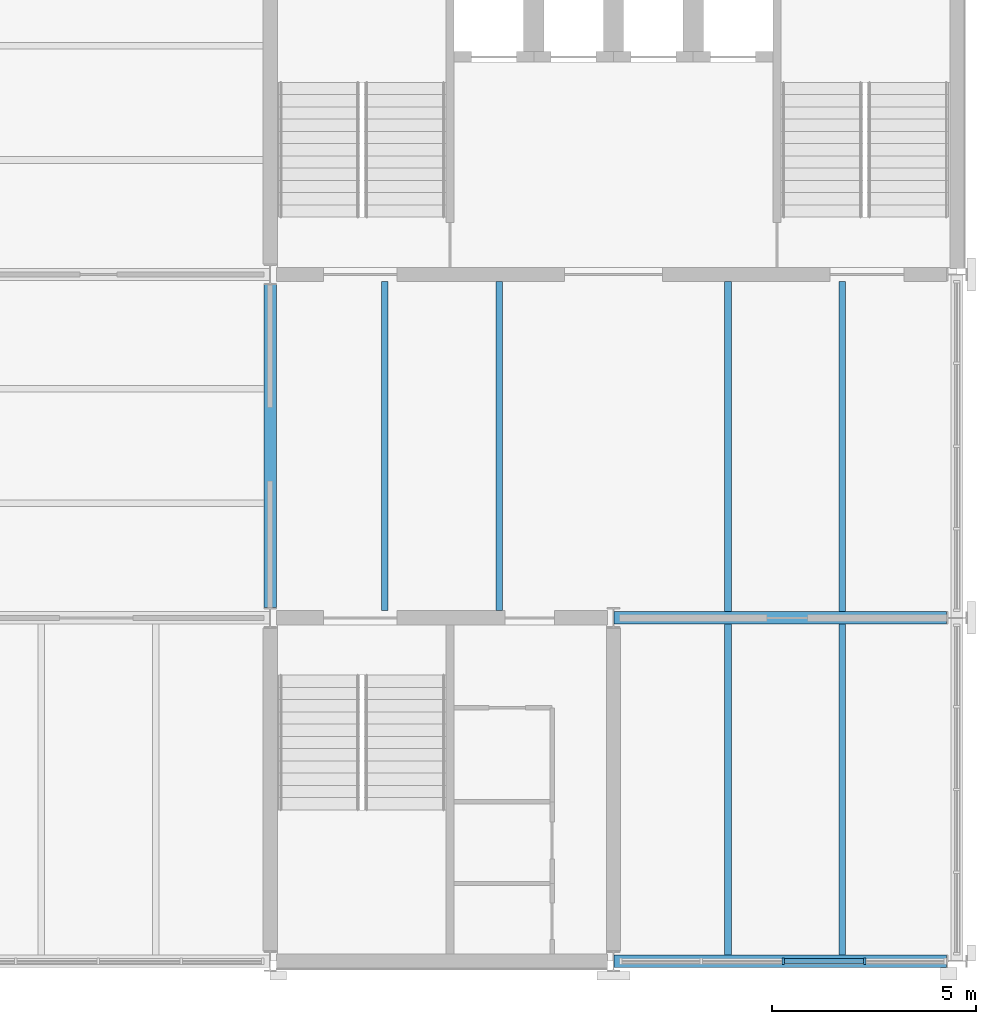
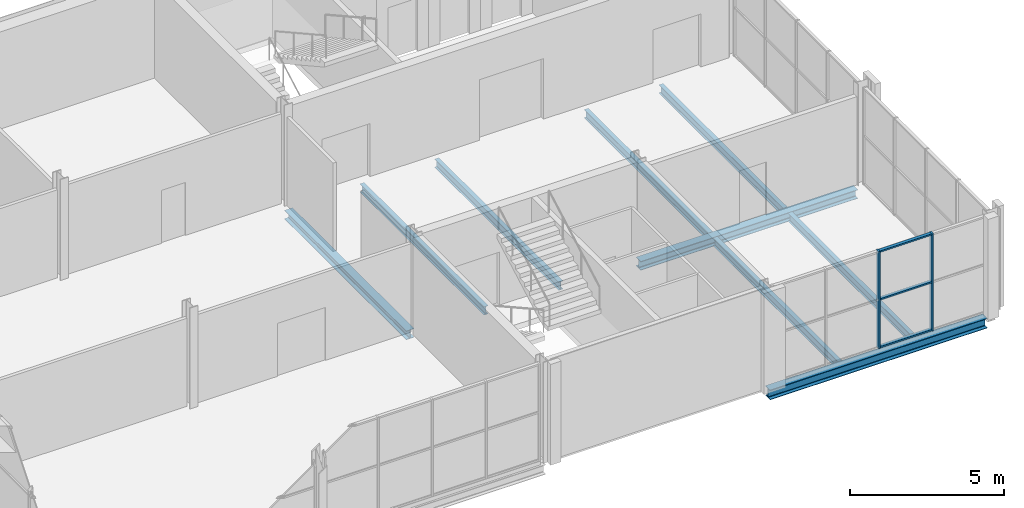
# One storey, part 4 of 12: 9 beams, 5 members, 1 element without a shape of its own.
"""IFC4 building model written with IfcOpenShell, lengths in metres."""

from ifc_helpers import new_model, si_unit, direction, frame, origin, origin_2d, place, context, subcontext, project, spatial, rectangle, i_section, extrude, material, layer, layer_set, material_profile, profile_set, type_object, element, aggregate, save


model = new_model("IFC4")

# Units and contexts
model_context = context("Model", 3, precision=1e-05, world=origin(), true_north=direction((0.0, 1.0)))
body_context = subcontext(model_context, "Body", "Model", "MODEL_VIEW")
ifc_project = project(units=[si_unit("LENGTHUNIT", "METRE"), si_unit("AREAUNIT", "SQUARE_METRE"), si_unit("VOLUMEUNIT", "CUBIC_METRE"), si_unit("PLANEANGLEUNIT", "RADIAN"), si_unit("MASSUNIT", "GRAM", prefix="KILO")], contexts=[model_context])

# Site, building, storey
site_placement = place(None, origin())
site = spatial("IfcSite", under=ifc_project, at=site_placement, CompositionType="ELEMENT")
building_placement = place(site_placement, origin())
building = spatial("IfcBuilding", under=site, at=building_placement, Name="Galleria Vessillo Department Store", CompositionType="ELEMENT")
storey_placement = place(building_placement, frame((0.0, 0.0, 43.60009765625)))
storey = spatial("IfcBuildingStorey", under=building, at=storey_placement, Name="L09", CompositionType="ELEMENT", Elevation=43.60009765625)

# Curtain wall, members
ifc_material_1 = material(Name="Aluminium and glass curtain wall", Category="aluminium")
ifc_layer = layer(ifc_material_1, 0.159912109375)
ifc_layer_set = layer_set([ifc_layer], Name="Aluminium and glass curtain wall")
curtain_wall_type = type_object("IfcCurtainWallType", Name="Tower curtain wall CW4 2100 module", PredefinedType="NOTDEFINED", material=ifc_layer_set)
curtain_wall_placement = place(storey_placement, origin())
curtain_wall = element("IfcCurtainWall", 1, at=curtain_wall_placement, inside=storey, type_object=curtain_wall_type, Name="Tower curtain wall CW4 2100 module TS-L09-03", PredefinedType="NOTDEFINED")
ifc_material_2 = material(Name="Aluminium alloy 6063 T6", Category="aluminium")
ifc_material_profile_1 = material_profile(ifc_material_2, rectangle(XDim=0.159912109375, YDim=0.06005859375, at=origin_2d()), Name="AL 60x160")
ifc_profile_set_1 = profile_set([ifc_material_profile_1], Name="Aluminium alloy 6063 T6")
member_type_1 = type_object("IfcMemberType", Name="Aluminium mullion 60 x 160", PredefinedType="MULLION", material=ifc_profile_set_1)
member_1_placement = place(storey_placement, frame((113.35009765625, 37.800048828125, 0.0), z_axis=(0.0, 0.0, 1.0), x_axis=(0.0, 1.0, 0.0)))
member_1 = element("IfcMember", 2, at=member_1_placement, type_object=member_type_1, Name="CW4 mullion 3", PredefinedType="MULLION", context=body_context, shape_type="SweptSolid", body=[
    extrude(rectangle(XDim=0.159912109375, YDim=0.06005859375, at=origin_2d()), origin(), (0.0, 0.0, 1.0), 3.85009765625),
])
member_2_placement = place(storey_placement, frame((115.35009765625, 37.800048828125, 0.0), z_axis=(0.0, 0.0, 1.0), x_axis=(0.0, 1.0, 0.0)))
member_2 = element("IfcMember", 3, at=member_2_placement, type_object=member_type_1, Name="CW4 mullion 4", PredefinedType="MULLION", context=body_context, shape_type="SweptSolid", body=[
    extrude(rectangle(XDim=0.159912109375, YDim=0.06005859375, at=origin_2d()), origin(), (0.0, 0.0, 1.0), 3.85009765625),
])
ifc_material_3 = material(Name="Aluminium alloy 6063 T6", Category="aluminium")
ifc_material_profile_2 = material_profile(ifc_material_3, rectangle(XDim=0.1201171875, YDim=0.06005859375, at=origin_2d()), Name="AL 60x120")
ifc_profile_set_2 = profile_set([ifc_material_profile_2], Name="Aluminium alloy 6063 T6")
member_type_2 = type_object("IfcMemberType", Name="Aluminium transom 60 x 120", PredefinedType="USERDEFINED", material=ifc_profile_set_2)
member_3_placement = place(storey_placement, frame((113.3798828125, 37.800048828125, 0.030029296875), z_axis=(1.0, 0.0, 0.0), x_axis=(0.0, 1.0, 0.0)))
member_3 = element("IfcMember", 4, at=member_3_placement, type_object=member_type_2, Name="CW4 transom 3.1", ObjectType="TRANSOM", PredefinedType="USERDEFINED", context=body_context, shape_type="SweptSolid", body=[
    extrude(rectangle(XDim=0.1201171875, YDim=0.06005859375, at=origin_2d()), origin(), (0.0, 0.0, 1.0), 1.940185546875),
])
member_4_placement = place(storey_placement, frame((113.3798828125, 37.800048828125, 1.925048828125), z_axis=(1.0, 0.0, 0.0), x_axis=(0.0, 1.0, 0.0)))
member_4 = element("IfcMember", 5, at=member_4_placement, type_object=member_type_2, Name="CW4 transom 3.2", ObjectType="TRANSOM", PredefinedType="USERDEFINED", context=body_context, shape_type="SweptSolid", body=[
    extrude(rectangle(XDim=0.1201171875, YDim=0.06005859375, at=origin_2d()), origin(), (0.0, 0.0, 1.0), 1.940185546875),
])
member_5_placement = place(storey_placement, frame((113.3798828125, 37.800048828125, 3.820068359375), z_axis=(1.0, 0.0, 0.0), x_axis=(0.0, 1.0, 0.0)))
member_5 = element("IfcMember", 6, at=member_5_placement, type_object=member_type_2, Name="CW4 transom 3.3", ObjectType="TRANSOM", PredefinedType="USERDEFINED", context=body_context, shape_type="SweptSolid", body=[
    extrude(rectangle(XDim=0.1201171875, YDim=0.06005859375, at=origin_2d()), origin(), (0.0, 0.0, 1.0), 1.940185546875),
])
aggregate(curtain_wall, [member_1, member_2, member_3, member_4, member_5])

# Beams
ifc_material_4 = material(Name="Steel S355 J2", Category="steel")
ifc_material_profile_3 = material_profile(ifc_material_4, i_section(OverallWidth=0.300048828125, OverallDepth=0.35009765625, WebThickness=0.010009765625, FlangeThickness=0.017578125, FilletRadius=0.027099609375, at=origin_2d()), Name="HEA 360")
ifc_profile_set_3 = profile_set([ifc_material_profile_3], Name="Steel S355 J2")
beam_type_1 = type_object("IfcBeamType", Name="Floor girder HEA 360", PredefinedType="BEAM", material=ifc_profile_set_3)
beam_1_placement = place(storey_placement, frame((109.207275390625, 46.199951171875, -0.324951171875), z_axis=(1.0, 0.0, 0.0), x_axis=(0.0, 1.0, 0.0)))
element("IfcBeam", 7, at=beam_1_placement, inside=storey, type_object=beam_type_1, Name="S-BM-L09-GI-x46200-109207", PredefinedType="BEAM", context=body_context, shape_type="SweptSolid", body=[
    extrude(i_section(OverallWidth=0.300048828125, OverallDepth=0.35009765625, WebThickness=0.010009765625, FlangeThickness=0.017578125, FilletRadius=0.027099609375, at=origin_2d()), origin(), (0.0, 0.0, 1.0), 8.142578125),
])
beam_2_placement = place(storey_placement, frame((100.800048828125, 46.4501953125, -0.324951171875), z_axis=(0.0, 1.0, 0.0), x_axis=(-1.0, 0.0, 0.0)))
element("IfcBeam", 8, at=beam_2_placement, inside=storey, type_object=beam_type_1, Name="S-BM-L09-GI-y100800-46450", PredefinedType="BEAM", context=body_context, shape_type="SweptSolid", body=[
    extrude(i_section(OverallWidth=0.300048828125, OverallDepth=0.35009765625, WebThickness=0.010009765625, FlangeThickness=0.017578125, FilletRadius=0.027099609375, at=origin_2d()), origin(), (0.0, 0.0, 1.0), 7.899658203125),
])
ifc_material_5 = material(Name="Steel S355 J2", Category="steel")
ifc_material_profile_4 = material_profile(ifc_material_5, i_section(OverallWidth=0.159912109375, OverallDepth=0.330078125, WebThickness=0.007568359375, FlangeThickness=0.011474609375, FilletRadius=0.01806640625, at=origin_2d()), Name="IPE 330")
ifc_profile_set_4 = profile_set([ifc_material_profile_4], Name="Steel S355 J2")
beam_type_2 = type_object("IfcBeamType", Name="Floor joist IPE 330", PredefinedType="JOIST", material=ifc_profile_set_4)
for number, where, z_axis, x_axis, name in (
    (9, (103.60009765625, 46.375244140625, -0.31494140625), (0.0, 1.0, 0.0), (-1.0, 0.0, 0.0), "S-BM-L09-JO-y103600-46375"),
    (10, (106.39990234375, 46.375244140625, -0.31494140625), (0.0, 1.0, 0.0), (-1.0, 0.0, 0.0), "S-BM-L09-JO-y106400-46375"),
):
    element("IfcBeam", number, at=place(storey_placement, frame(where, z_axis=z_axis, x_axis=x_axis)), inside=storey, type_object=beam_type_2, Name=name, PredefinedType="JOIST", context=body_context, shape_type="SweptSolid", body=[
        extrude(i_section(OverallWidth=0.159912109375, OverallDepth=0.330078125, WebThickness=0.007568359375, FlangeThickness=0.011474609375, FilletRadius=0.01806640625, at=origin_2d()), origin(), (0.0, 0.0, 1.0), 8.049560546875),
    ])
for number, where, z_axis, x_axis, name in (
    (11, (112.0, 37.9501953125, -0.31494140625), (0.0, 1.0, 0.0), (-1.0, 0.0, 0.0), "S-BM-L09-JO-y112000-37950"),
    (12, (114.800048828125, 37.9501953125, -0.31494140625), (0.0, 1.0, 0.0), (-1.0, 0.0, 0.0), "S-BM-L09-JO-y114800-37950"),
):
    element("IfcBeam", number, at=place(storey_placement, frame(where, z_axis=z_axis, x_axis=x_axis)), inside=storey, type_object=beam_type_2, Name=name, PredefinedType="JOIST", context=body_context, shape_type="SweptSolid", body=[
        extrude(i_section(OverallWidth=0.159912109375, OverallDepth=0.330078125, WebThickness=0.007568359375, FlangeThickness=0.011474609375, FilletRadius=0.01806640625, at=origin_2d()), origin(), (0.0, 0.0, 1.0), 8.099609375),
    ])
for number, where, z_axis, x_axis, name in (
    (13, (112.0, 46.35009765625, -0.31494140625), (0.0, 1.0, 0.0), (-1.0, 0.0, 0.0), "S-BM-L09-JO-y112000-46350"),
    (14, (114.800048828125, 46.35009765625, -0.31494140625), (0.0, 1.0, 0.0), (-1.0, 0.0, 0.0), "S-BM-L09-JO-y114800-46350"),
):
    element("IfcBeam", number, at=place(storey_placement, frame(where, z_axis=z_axis, x_axis=x_axis)), inside=storey, type_object=beam_type_2, Name=name, PredefinedType="JOIST", context=body_context, shape_type="SweptSolid", body=[
        extrude(i_section(OverallWidth=0.159912109375, OverallDepth=0.330078125, WebThickness=0.007568359375, FlangeThickness=0.011474609375, FilletRadius=0.01806640625, at=origin_2d()), origin(), (0.0, 0.0, 1.0), 8.07470703125),
    ])
ifc_material_6 = material(Name="Steel S355 J2", Category="steel")
ifc_material_profile_5 = material_profile(ifc_material_6, i_section(OverallWidth=0.300048828125, OverallDepth=0.389892578125, WebThickness=0.010986328125, FlangeThickness=0.01904296875, FilletRadius=0.027099609375, at=origin_2d()), Name="HEA 400")
ifc_profile_set_5 = profile_set([ifc_material_profile_5], Name="Steel S355 J2")
beam_type_3 = type_object("IfcBeamType", Name="Trimmer beam HEA 400", PredefinedType="BEAM", material=ifc_profile_set_5)
beam_3_placement = place(storey_placement, frame((109.207275390625, 37.800048828125, -0.344970703125), z_axis=(1.0, 0.0, 0.0), x_axis=(0.0, 1.0, 0.0)))
element("IfcBeam", 15, at=beam_3_placement, inside=storey, type_object=beam_type_3, Name="S-BM-L09-TR-x37800-109207", PredefinedType="BEAM", context=body_context, shape_type="SweptSolid", body=[
    extrude(i_section(OverallWidth=0.300048828125, OverallDepth=0.389892578125, WebThickness=0.010986328125, FlangeThickness=0.01904296875, FilletRadius=0.027099609375, at=origin_2d()), origin(), (0.0, 0.0, 1.0), 8.142578125),
])

save(model, "model.ifc")
